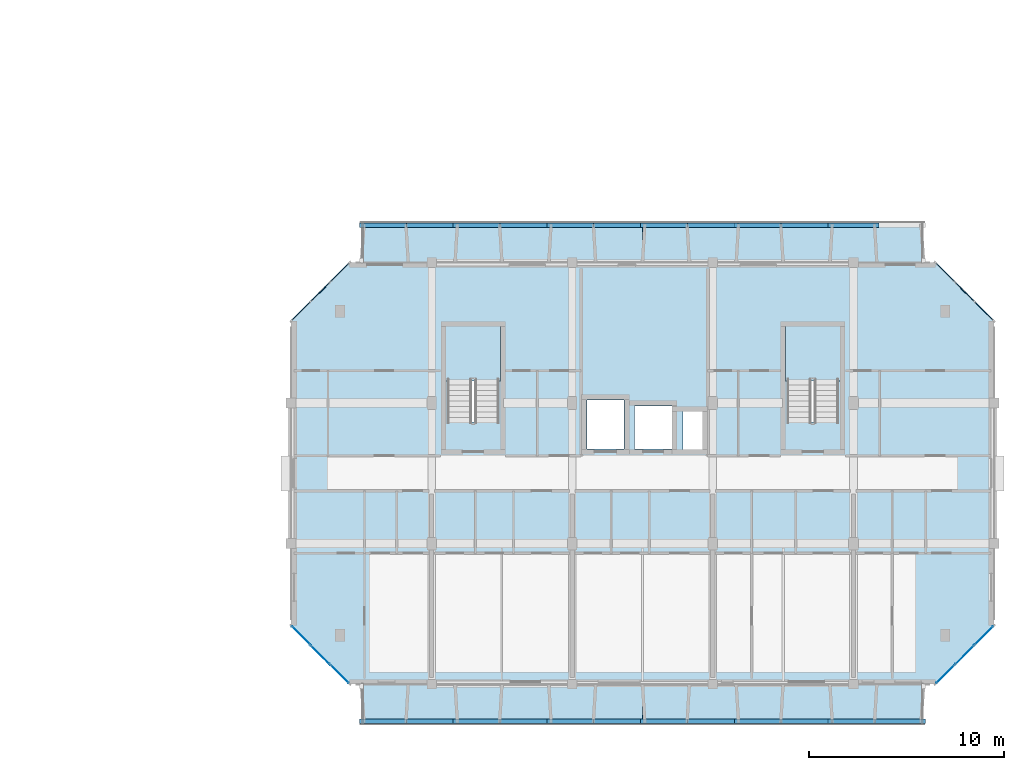
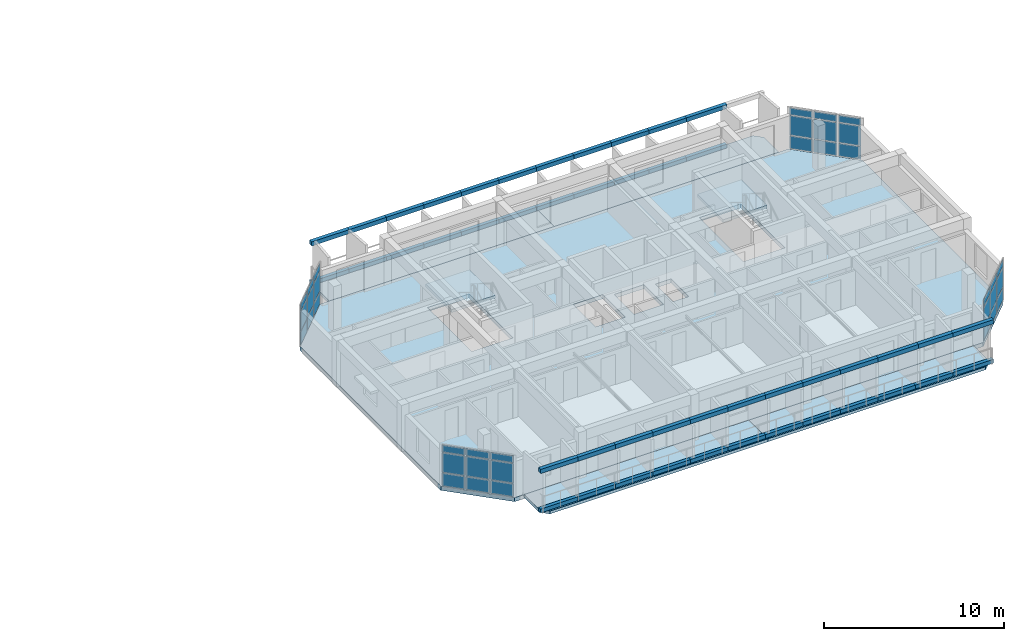
# One storey, part 14 of 46: 82 plates, 7 slabs, 6 elements without a shape of their own.
"""IFC4 building model written with IfcOpenShell, lengths in metres."""

from ifc_helpers import new_model, si_unit, direction, frame, origin, origin_2d, place, context, subcontext, project, spatial, polyline, rectangle, outline, extrude, material, layer, layer_set, type_object, element, aggregate, save


model = new_model("IFC4")

# Units and contexts
model_context = context("Model", 3, precision=1e-05, world=origin(), true_north=direction((0.0, 1.0)))
body_context = subcontext(model_context, "Body", "Model", "MODEL_VIEW")
ifc_project = project(units=[si_unit("LENGTHUNIT", "METRE"), si_unit("AREAUNIT", "SQUARE_METRE"), si_unit("VOLUMEUNIT", "CUBIC_METRE"), si_unit("PLANEANGLEUNIT", "RADIAN"), si_unit("MASSUNIT", "GRAM", prefix="KILO")], contexts=[model_context])

# Site, building, storey
site_placement = place(None, origin())
site = spatial("IfcSite", under=ifc_project, at=site_placement, CompositionType="ELEMENT")
building_placement = place(site_placement, origin())
building = spatial("IfcBuilding", under=site, at=building_placement, Name="Ochrevale Crest", CompositionType="ELEMENT")
storey_placement = place(building_placement, frame((0.0, 0.0, 24.449951171875)))
storey = spatial("IfcBuildingStorey", under=building, at=storey_placement, Name="L07", CompositionType="ELEMENT", Elevation=24.449951171875)

# Curtain wall, plates
ifc_material_1 = material(Name="Anodised aluminium 6063-T5", Category="aluminium")
ifc_layer_1 = layer(ifc_material_1, 0.14990234375)
ifc_layer_set_1 = layer_set([ifc_layer_1], Name="Anodised aluminium 6063-T5")
curtain_wall_type_1 = type_object("IfcCurtainWallType", Name="CW-WG-420x285", PredefinedType="NOTDEFINED", material=ifc_layer_set_1)
curtain_wall_1_placement = place(storey_placement, origin())
curtain_wall_1 = element("IfcCurtainWall", 1, at=curtain_wall_1_placement, inside=storey, type_object=curtain_wall_type_1, Name="Block C L07 chamfered corner wintergarden curtain wall 2", PredefinedType="NOTDEFINED")
ifc_material_2 = material(Name="Double-glazed low-E insulated glass unit", Category="glass")
ifc_layer_2 = layer(ifc_material_2, 0.028076171875)
ifc_layer_set_2 = layer_set([ifc_layer_2], Name="Double-glazed low-E insulated glass unit")
plate_type_1 = type_object("IfcPlateType", Name="CW-PNL-IGU28", PredefinedType="CURTAIN_PANEL", material=ifc_layer_set_2)
plate_1_placement = place(storey_placement, frame((163.11328125, 14.913330078125, 0.06005859375), z_axis=(0.0, 0.0, 1.0), x_axis=(0.707106781187, 0.707106781187, 0.0)))
plate_1 = element("IfcPlate", 2, at=plate_1_placement, type_object=plate_type_1, Name="CW22 panel 1.1", PredefinedType="CURTAIN_PANEL", context=body_context, shape_type="SweptSolid", body=[
    extrude(rectangle(XDim=1.3017578125, YDim=0.028076171875, at=origin_2d()), origin(), (0.0, 0.0, 1.0), 0.860107421875),
])
plate_2_placement = place(storey_placement, frame((163.11328125, 14.913330078125, 0.97998046875), z_axis=(0.0, 0.0, 1.0), x_axis=(0.707106781187, 0.707106781187, 0.0)))
plate_2 = element("IfcPlate", 3, at=plate_2_placement, type_object=plate_type_1, Name="CW22 panel 1.2", PredefinedType="CURTAIN_PANEL", context=body_context, shape_type="SweptSolid", body=[
    extrude(rectangle(XDim=1.3017578125, YDim=0.028076171875, at=origin_2d()), origin(), (0.0, 0.0, 1.0), 1.31494140625),
])
plate_3_placement = place(storey_placement, frame((163.11328125, 14.913330078125, 2.35498046875), z_axis=(0.0, 0.0, 1.0), x_axis=(0.707106781187, 0.707106781187, 0.0)))
plate_3 = element("IfcPlate", 4, at=plate_3_placement, type_object=plate_type_1, Name="CW22 panel 1.3", PredefinedType="CURTAIN_PANEL", context=body_context, shape_type="SweptSolid", body=[
    extrude(rectangle(XDim=1.3017578125, YDim=0.028076171875, at=origin_2d()), origin(), (0.0, 0.0, 1.0), 0.4599609375),
])
plate_4_placement = place(storey_placement, frame((164.10009765625, 15.89990234375, 0.06005859375), z_axis=(0.0, 0.0, 1.0), x_axis=(0.707106781187, 0.707106781187, 0.0)))
plate_4 = element("IfcPlate", 5, at=plate_4_placement, type_object=plate_type_1, Name="CW22 panel 2.1", PredefinedType="CURTAIN_PANEL", context=body_context, shape_type="SweptSolid", body=[
    extrude(rectangle(XDim=1.339111328125, YDim=0.028076171875, at=origin_2d()), origin(), (0.0, 0.0, 1.0), 0.860107421875),
])
plate_5_placement = place(storey_placement, frame((164.10009765625, 15.89990234375, 0.97998046875), z_axis=(0.0, 0.0, 1.0), x_axis=(0.707106781187, 0.707106781187, 0.0)))
plate_5 = element("IfcPlate", 6, at=plate_5_placement, type_object=plate_type_1, Name="CW22 panel 2.2", PredefinedType="CURTAIN_PANEL", context=body_context, shape_type="SweptSolid", body=[
    extrude(rectangle(XDim=1.339111328125, YDim=0.028076171875, at=origin_2d()), origin(), (0.0, 0.0, 1.0), 1.31494140625),
])
plate_6_placement = place(storey_placement, frame((164.10009765625, 15.89990234375, 2.35498046875), z_axis=(0.0, 0.0, 1.0), x_axis=(0.707106781187, 0.707106781187, 0.0)))
plate_6 = element("IfcPlate", 7, at=plate_6_placement, type_object=plate_type_1, Name="CW22 panel 2.3", PredefinedType="CURTAIN_PANEL", context=body_context, shape_type="SweptSolid", body=[
    extrude(rectangle(XDim=1.339111328125, YDim=0.028076171875, at=origin_2d()), origin(), (0.0, 0.0, 1.0), 0.4599609375),
])
plate_7_placement = place(storey_placement, frame((165.086669921875, 16.88671875, 0.06005859375), z_axis=(0.0, 0.0, 1.0), x_axis=(0.707106781187, 0.707106781187, 0.0)))
plate_7 = element("IfcPlate", 8, at=plate_7_placement, type_object=plate_type_1, Name="CW22 panel 3.1", PredefinedType="CURTAIN_PANEL", context=body_context, shape_type="SweptSolid", body=[
    extrude(rectangle(XDim=1.3017578125, YDim=0.028076171875, at=origin_2d()), origin(), (0.0, 0.0, 1.0), 0.860107421875),
])
plate_8_placement = place(storey_placement, frame((165.086669921875, 16.88671875, 0.97998046875), z_axis=(0.0, 0.0, 1.0), x_axis=(0.707106781187, 0.707106781187, 0.0)))
plate_8 = element("IfcPlate", 9, at=plate_8_placement, type_object=plate_type_1, Name="CW22 panel 3.2", PredefinedType="CURTAIN_PANEL", context=body_context, shape_type="SweptSolid", body=[
    extrude(rectangle(XDim=1.3017578125, YDim=0.028076171875, at=origin_2d()), origin(), (0.0, 0.0, 1.0), 1.31494140625),
])
plate_9_placement = place(storey_placement, frame((165.086669921875, 16.88671875, 2.35498046875), z_axis=(0.0, 0.0, 1.0), x_axis=(0.707106781187, 0.707106781187, 0.0)))
plate_9 = element("IfcPlate", 10, at=plate_9_placement, type_object=plate_type_1, Name="CW22 panel 3.3", PredefinedType="CURTAIN_PANEL", context=body_context, shape_type="SweptSolid", body=[
    extrude(rectangle(XDim=1.3017578125, YDim=0.028076171875, at=origin_2d()), origin(), (0.0, 0.0, 1.0), 0.4599609375),
])
aggregate(curtain_wall_1, [plate_1, plate_2, plate_3, plate_4, plate_5, plate_6, plate_7, plate_8, plate_9])

ifc_layer_3 = layer(ifc_material_1, 0.14990234375)
ifc_layer_set_3 = layer_set([ifc_layer_3], Name="Anodised aluminium 6063-T5")
curtain_wall_type_2 = type_object("IfcCurtainWallType", Name="CW-WG-240x285", PredefinedType="NOTDEFINED", material=ifc_layer_set_3)
curtain_wall_2_placement = place(storey_placement, origin())
curtain_wall_2 = element("IfcCurtainWall", 11, at=curtain_wall_2_placement, inside=storey, type_object=curtain_wall_type_2, Name="Block C L07 chamfered corner wintergarden curtain wall 8", PredefinedType="NOTDEFINED")
plate_10_placement = place(storey_placement, frame((130.11328125, 16.88671875, 0.06005859375), z_axis=(0.0, 0.0, 1.0), x_axis=(0.707106781187, -0.707106781187, 0.0)))
plate_10 = element("IfcPlate", 12, at=plate_10_placement, type_object=plate_type_1, Name="CW15 panel 1.1", PredefinedType="CURTAIN_PANEL", context=body_context, shape_type="SweptSolid", body=[
    extrude(rectangle(XDim=1.3017578125, YDim=0.028076171875, at=origin_2d()), origin(), (0.0, 0.0, 1.0), 0.860107421875),
])
plate_11_placement = place(storey_placement, frame((130.11328125, 16.88671875, 0.97998046875), z_axis=(0.0, 0.0, 1.0), x_axis=(0.707106781187, -0.707106781187, 0.0)))
plate_11 = element("IfcPlate", 13, at=plate_11_placement, type_object=plate_type_1, Name="CW15 panel 1.2", PredefinedType="CURTAIN_PANEL", context=body_context, shape_type="SweptSolid", body=[
    extrude(rectangle(XDim=1.3017578125, YDim=0.028076171875, at=origin_2d()), origin(), (0.0, 0.0, 1.0), 1.31494140625),
])
plate_12_placement = place(storey_placement, frame((130.11328125, 16.88671875, 2.35498046875), z_axis=(0.0, 0.0, 1.0), x_axis=(0.707106781187, -0.707106781187, 0.0)))
plate_12 = element("IfcPlate", 14, at=plate_12_placement, type_object=plate_type_1, Name="CW15 panel 1.3", PredefinedType="CURTAIN_PANEL", context=body_context, shape_type="SweptSolid", body=[
    extrude(rectangle(XDim=1.3017578125, YDim=0.028076171875, at=origin_2d()), origin(), (0.0, 0.0, 1.0), 0.4599609375),
])
plate_13_placement = place(storey_placement, frame((131.10009765625, 15.89990234375, 0.06005859375), z_axis=(0.0, 0.0, 1.0), x_axis=(0.707106781187, -0.707106781187, 0.0)))
plate_13 = element("IfcPlate", 15, at=plate_13_placement, type_object=plate_type_1, Name="CW15 panel 2.1", PredefinedType="CURTAIN_PANEL", context=body_context, shape_type="SweptSolid", body=[
    extrude(rectangle(XDim=1.339111328125, YDim=0.028076171875, at=origin_2d()), origin(), (0.0, 0.0, 1.0), 0.860107421875),
])
plate_14_placement = place(storey_placement, frame((131.10009765625, 15.89990234375, 0.97998046875), z_axis=(0.0, 0.0, 1.0), x_axis=(0.707106781187, -0.707106781187, 0.0)))
plate_14 = element("IfcPlate", 16, at=plate_14_placement, type_object=plate_type_1, Name="CW15 panel 2.2", PredefinedType="CURTAIN_PANEL", context=body_context, shape_type="SweptSolid", body=[
    extrude(rectangle(XDim=1.339111328125, YDim=0.028076171875, at=origin_2d()), origin(), (0.0, 0.0, 1.0), 1.31494140625),
])
plate_15_placement = place(storey_placement, frame((131.10009765625, 15.89990234375, 2.35498046875), z_axis=(0.0, 0.0, 1.0), x_axis=(0.707106781187, -0.707106781187, 0.0)))
plate_15 = element("IfcPlate", 17, at=plate_15_placement, type_object=plate_type_1, Name="CW15 panel 2.3", PredefinedType="CURTAIN_PANEL", context=body_context, shape_type="SweptSolid", body=[
    extrude(rectangle(XDim=1.339111328125, YDim=0.028076171875, at=origin_2d()), origin(), (0.0, 0.0, 1.0), 0.4599609375),
])
plate_16_placement = place(storey_placement, frame((132.086669921875, 14.913330078125, 0.06005859375), z_axis=(0.0, 0.0, 1.0), x_axis=(0.707106781187, -0.707106781187, 0.0)))
plate_16 = element("IfcPlate", 18, at=plate_16_placement, type_object=plate_type_1, Name="CW15 panel 3.1", PredefinedType="CURTAIN_PANEL", context=body_context, shape_type="SweptSolid", body=[
    extrude(rectangle(XDim=1.3017578125, YDim=0.028076171875, at=origin_2d()), origin(), (0.0, 0.0, 1.0), 0.860107421875),
])
plate_17_placement = place(storey_placement, frame((132.086669921875, 14.913330078125, 0.97998046875), z_axis=(0.0, 0.0, 1.0), x_axis=(0.707106781187, -0.707106781187, 0.0)))
plate_17 = element("IfcPlate", 19, at=plate_17_placement, type_object=plate_type_1, Name="CW15 panel 3.2", PredefinedType="CURTAIN_PANEL", context=body_context, shape_type="SweptSolid", body=[
    extrude(rectangle(XDim=1.3017578125, YDim=0.028076171875, at=origin_2d()), origin(), (0.0, 0.0, 1.0), 1.31494140625),
])
plate_18_placement = place(storey_placement, frame((132.086669921875, 14.913330078125, 2.35498046875), z_axis=(0.0, 0.0, 1.0), x_axis=(0.707106781187, -0.707106781187, 0.0)))
plate_18 = element("IfcPlate", 20, at=plate_18_placement, type_object=plate_type_1, Name="CW15 panel 3.3", PredefinedType="CURTAIN_PANEL", context=body_context, shape_type="SweptSolid", body=[
    extrude(rectangle(XDim=1.3017578125, YDim=0.028076171875, at=origin_2d()), origin(), (0.0, 0.0, 1.0), 0.4599609375),
])
aggregate(curtain_wall_2, [plate_10, plate_11, plate_12, plate_13, plate_14, plate_15, plate_16, plate_17, plate_18])

ifc_layer_4 = layer(ifc_material_1, 0.14990234375)
ifc_layer_set_4 = layer_set([ifc_layer_4], Name="Anodised aluminium 6063-T5")
curtain_wall_type_3 = type_object("IfcCurtainWallType", Name="CW-WG-280x285", PredefinedType="NOTDEFINED", material=ifc_layer_set_4)
curtain_wall_3_placement = place(storey_placement, origin())
curtain_wall_3 = element("IfcCurtainWall", 21, at=curtain_wall_3_placement, inside=storey, type_object=curtain_wall_type_3, Name="Block C L07 chamfered corner wintergarden curtain wall 4", PredefinedType="NOTDEFINED")
ifc_material_3 = material(Name="Acoustic laminated low-E insulated glass unit", Category="glass")
ifc_layer_5 = layer(ifc_material_3, 0.0380859375)
ifc_layer_set_5 = layer_set([ifc_layer_5], Name="Acoustic laminated low-E insulated glass unit")
plate_type_2 = type_object("IfcPlateType", Name="CW-PNL-IGU38", PredefinedType="CURTAIN_PANEL", material=ifc_layer_set_5)
plate_19_placement = place(storey_placement, frame((165.086669921875, 33.51318359375, 0.06005859375), z_axis=(0.0, 0.0, 1.0), x_axis=(-0.707106781187, 0.707106781187, 0.0)))
plate_19 = element("IfcPlate", 22, at=plate_19_placement, type_object=plate_type_2, Name="CW16 panel 1.1", PredefinedType="CURTAIN_PANEL", context=body_context, shape_type="SweptSolid", body=[
    extrude(rectangle(XDim=1.3017578125, YDim=0.0380859375, at=origin_2d()), origin(), (0.0, 0.0, 1.0), 0.860107421875),
])
plate_20_placement = place(storey_placement, frame((165.086669921875, 33.51318359375, 0.97998046875), z_axis=(0.0, 0.0, 1.0), x_axis=(-0.707106781187, 0.707106781187, 0.0)))
plate_20 = element("IfcPlate", 23, at=plate_20_placement, type_object=plate_type_2, Name="CW16 panel 1.2", PredefinedType="CURTAIN_PANEL", context=body_context, shape_type="SweptSolid", body=[
    extrude(rectangle(XDim=1.3017578125, YDim=0.0380859375, at=origin_2d()), origin(), (0.0, 0.0, 1.0), 1.31494140625),
])
plate_21_placement = place(storey_placement, frame((165.086669921875, 33.51318359375, 2.35498046875), z_axis=(0.0, 0.0, 1.0), x_axis=(-0.707106781187, 0.707106781187, 0.0)))
plate_21 = element("IfcPlate", 24, at=plate_21_placement, type_object=plate_type_2, Name="CW16 panel 1.3", PredefinedType="CURTAIN_PANEL", context=body_context, shape_type="SweptSolid", body=[
    extrude(rectangle(XDim=1.3017578125, YDim=0.0380859375, at=origin_2d()), origin(), (0.0, 0.0, 1.0), 0.4599609375),
])
plate_22_placement = place(storey_placement, frame((164.10009765625, 34.5, 0.06005859375), z_axis=(0.0, 0.0, 1.0), x_axis=(-0.707106781187, 0.707106781187, 0.0)))
plate_22 = element("IfcPlate", 25, at=plate_22_placement, type_object=plate_type_2, Name="CW16 panel 2.1", PredefinedType="CURTAIN_PANEL", context=body_context, shape_type="SweptSolid", body=[
    extrude(rectangle(XDim=1.339111328125, YDim=0.0380859375, at=origin_2d()), origin(), (0.0, 0.0, 1.0), 0.860107421875),
])
plate_23_placement = place(storey_placement, frame((164.10009765625, 34.5, 0.97998046875), z_axis=(0.0, 0.0, 1.0), x_axis=(-0.707106781187, 0.707106781187, 0.0)))
plate_23 = element("IfcPlate", 26, at=plate_23_placement, type_object=plate_type_2, Name="CW16 panel 2.2", PredefinedType="CURTAIN_PANEL", context=body_context, shape_type="SweptSolid", body=[
    extrude(rectangle(XDim=1.339111328125, YDim=0.0380859375, at=origin_2d()), origin(), (0.0, 0.0, 1.0), 1.31494140625),
])
plate_24_placement = place(storey_placement, frame((164.10009765625, 34.5, 2.35498046875), z_axis=(0.0, 0.0, 1.0), x_axis=(-0.707106781187, 0.707106781187, 0.0)))
plate_24 = element("IfcPlate", 27, at=plate_24_placement, type_object=plate_type_2, Name="CW16 panel 2.3", PredefinedType="CURTAIN_PANEL", context=body_context, shape_type="SweptSolid", body=[
    extrude(rectangle(XDim=1.339111328125, YDim=0.0380859375, at=origin_2d()), origin(), (0.0, 0.0, 1.0), 0.4599609375),
])
plate_25_placement = place(storey_placement, frame((163.11328125, 35.48681640625, 0.06005859375), z_axis=(0.0, 0.0, 1.0), x_axis=(-0.707106781187, 0.707106781187, 0.0)))
plate_25 = element("IfcPlate", 28, at=plate_25_placement, type_object=plate_type_2, Name="CW16 panel 3.1", PredefinedType="CURTAIN_PANEL", context=body_context, shape_type="SweptSolid", body=[
    extrude(rectangle(XDim=1.3017578125, YDim=0.0380859375, at=origin_2d()), origin(), (0.0, 0.0, 1.0), 0.860107421875),
])
plate_26_placement = place(storey_placement, frame((163.11328125, 35.48681640625, 0.97998046875), z_axis=(0.0, 0.0, 1.0), x_axis=(-0.707106781187, 0.707106781187, 0.0)))
plate_26 = element("IfcPlate", 29, at=plate_26_placement, type_object=plate_type_2, Name="CW16 panel 3.2", PredefinedType="CURTAIN_PANEL", context=body_context, shape_type="SweptSolid", body=[
    extrude(rectangle(XDim=1.3017578125, YDim=0.0380859375, at=origin_2d()), origin(), (0.0, 0.0, 1.0), 1.31494140625),
])
plate_27_placement = place(storey_placement, frame((163.11328125, 35.48681640625, 2.35498046875), z_axis=(0.0, 0.0, 1.0), x_axis=(-0.707106781187, 0.707106781187, 0.0)))
plate_27 = element("IfcPlate", 30, at=plate_27_placement, type_object=plate_type_2, Name="CW16 panel 3.3", PredefinedType="CURTAIN_PANEL", context=body_context, shape_type="SweptSolid", body=[
    extrude(rectangle(XDim=1.3017578125, YDim=0.0380859375, at=origin_2d()), origin(), (0.0, 0.0, 1.0), 0.4599609375),
])
aggregate(curtain_wall_3, [plate_19, plate_20, plate_21, plate_22, plate_23, plate_24, plate_25, plate_26, plate_27])

ifc_layer_6 = layer(ifc_material_1, 0.14990234375)
ifc_layer_set_6 = layer_set([ifc_layer_6], Name="Anodised aluminium 6063-T5")
curtain_wall_type_4 = type_object("IfcCurtainWallType", Name="CW-WG-360x285", PredefinedType="NOTDEFINED", material=ifc_layer_set_6)
curtain_wall_4_placement = place(storey_placement, origin())
curtain_wall_4 = element("IfcCurtainWall", 31, at=curtain_wall_4_placement, inside=storey, type_object=curtain_wall_type_4, Name="Block C L07 chamfered corner wintergarden curtain wall 6", PredefinedType="NOTDEFINED")
plate_28_placement = place(storey_placement, frame((132.086669921875, 35.48681640625, 0.06005859375), z_axis=(0.0, 0.0, 1.0), x_axis=(-0.707106781187, -0.707106781187, 0.0)))
plate_28 = element("IfcPlate", 32, at=plate_28_placement, type_object=plate_type_2, Name="CW18 panel 1.1", PredefinedType="CURTAIN_PANEL", context=body_context, shape_type="SweptSolid", body=[
    extrude(rectangle(XDim=1.3017578125, YDim=0.0380859375, at=origin_2d()), origin(), (0.0, 0.0, 1.0), 0.860107421875),
])
plate_29_placement = place(storey_placement, frame((132.086669921875, 35.48681640625, 0.97998046875), z_axis=(0.0, 0.0, 1.0), x_axis=(-0.707106781187, -0.707106781187, 0.0)))
plate_29 = element("IfcPlate", 33, at=plate_29_placement, type_object=plate_type_2, Name="CW18 panel 1.2", PredefinedType="CURTAIN_PANEL", context=body_context, shape_type="SweptSolid", body=[
    extrude(rectangle(XDim=1.3017578125, YDim=0.0380859375, at=origin_2d()), origin(), (0.0, 0.0, 1.0), 1.31494140625),
])
plate_30_placement = place(storey_placement, frame((132.086669921875, 35.48681640625, 2.35498046875), z_axis=(0.0, 0.0, 1.0), x_axis=(-0.707106781187, -0.707106781187, 0.0)))
plate_30 = element("IfcPlate", 34, at=plate_30_placement, type_object=plate_type_2, Name="CW18 panel 1.3", PredefinedType="CURTAIN_PANEL", context=body_context, shape_type="SweptSolid", body=[
    extrude(rectangle(XDim=1.3017578125, YDim=0.0380859375, at=origin_2d()), origin(), (0.0, 0.0, 1.0), 0.4599609375),
])
plate_31_placement = place(storey_placement, frame((131.10009765625, 34.5, 0.06005859375), z_axis=(0.0, 0.0, 1.0), x_axis=(-0.707106781187, -0.707106781187, 0.0)))
plate_31 = element("IfcPlate", 35, at=plate_31_placement, type_object=plate_type_2, Name="CW18 panel 2.1", PredefinedType="CURTAIN_PANEL", context=body_context, shape_type="SweptSolid", body=[
    extrude(rectangle(XDim=1.339111328125, YDim=0.0380859375, at=origin_2d()), origin(), (0.0, 0.0, 1.0), 0.860107421875),
])
plate_32_placement = place(storey_placement, frame((131.10009765625, 34.5, 0.97998046875), z_axis=(0.0, 0.0, 1.0), x_axis=(-0.707106781187, -0.707106781187, 0.0)))
plate_32 = element("IfcPlate", 36, at=plate_32_placement, type_object=plate_type_2, Name="CW18 panel 2.2", PredefinedType="CURTAIN_PANEL", context=body_context, shape_type="SweptSolid", body=[
    extrude(rectangle(XDim=1.339111328125, YDim=0.0380859375, at=origin_2d()), origin(), (0.0, 0.0, 1.0), 1.31494140625),
])
plate_33_placement = place(storey_placement, frame((131.10009765625, 34.5, 2.35498046875), z_axis=(0.0, 0.0, 1.0), x_axis=(-0.707106781187, -0.707106781187, 0.0)))
plate_33 = element("IfcPlate", 37, at=plate_33_placement, type_object=plate_type_2, Name="CW18 panel 2.3", PredefinedType="CURTAIN_PANEL", context=body_context, shape_type="SweptSolid", body=[
    extrude(rectangle(XDim=1.339111328125, YDim=0.0380859375, at=origin_2d()), origin(), (0.0, 0.0, 1.0), 0.4599609375),
])
plate_34_placement = place(storey_placement, frame((130.11328125, 33.51318359375, 0.06005859375), z_axis=(0.0, 0.0, 1.0), x_axis=(-0.707106781187, -0.707106781187, 0.0)))
plate_34 = element("IfcPlate", 38, at=plate_34_placement, type_object=plate_type_2, Name="CW18 panel 3.1", PredefinedType="CURTAIN_PANEL", context=body_context, shape_type="SweptSolid", body=[
    extrude(rectangle(XDim=1.3017578125, YDim=0.0380859375, at=origin_2d()), origin(), (0.0, 0.0, 1.0), 0.860107421875),
])
plate_35_placement = place(storey_placement, frame((130.11328125, 33.51318359375, 0.97998046875), z_axis=(0.0, 0.0, 1.0), x_axis=(-0.707106781187, -0.707106781187, 0.0)))
plate_35 = element("IfcPlate", 39, at=plate_35_placement, type_object=plate_type_2, Name="CW18 panel 3.2", PredefinedType="CURTAIN_PANEL", context=body_context, shape_type="SweptSolid", body=[
    extrude(rectangle(XDim=1.3017578125, YDim=0.0380859375, at=origin_2d()), origin(), (0.0, 0.0, 1.0), 1.31494140625),
])
plate_36_placement = place(storey_placement, frame((130.11328125, 33.51318359375, 2.35498046875), z_axis=(0.0, 0.0, 1.0), x_axis=(-0.707106781187, -0.707106781187, 0.0)))
plate_36 = element("IfcPlate", 40, at=plate_36_placement, type_object=plate_type_2, Name="CW18 panel 3.3", PredefinedType="CURTAIN_PANEL", context=body_context, shape_type="SweptSolid", body=[
    extrude(rectangle(XDim=1.3017578125, YDim=0.0380859375, at=origin_2d()), origin(), (0.0, 0.0, 1.0), 0.4599609375),
])
aggregate(curtain_wall_4, [plate_28, plate_29, plate_30, plate_31, plate_32, plate_33, plate_34, plate_35, plate_36])

# Plates
ifc_material_4 = material(Name="Precast concrete C40/50", Category="concrete")
ifc_layer_7 = layer(ifc_material_4, 0.06005859375)
ifc_layer_set_7 = layer_set([ifc_layer_7], Name="Precast concrete C40/50")
plate_type_3 = type_object("IfcPlateType", Name="PLT-HC-HEAD-60", PredefinedType="USERDEFINED", material=ifc_layer_set_7)
for number, where, z_axis, x_axis, name in (
    (41, (134.39990234375, 12.5, 2.669921875), (0.0, 0.0, 1.0), (1.0, 0.0, 0.0), "Block C L07 S honeycomb arched lintel fascia 1"),
    (42, (136.800048828125, 12.5, 2.669921875), (0.0, 0.0, 1.0), (1.0, 0.0, 0.0), "Block C L07 S honeycomb arched lintel fascia 2"),
    (43, (139.199951171875, 12.5, 2.669921875), (0.0, 0.0, 1.0), (1.0, 0.0, 0.0), "Block C L07 S honeycomb arched lintel fascia 3"),
    (44, (141.60009765625, 12.5, 2.669921875), (0.0, 0.0, 1.0), (1.0, 0.0, 0.0), "Block C L07 S honeycomb arched lintel fascia 4"),
    (45, (144.0, 12.5, 2.669921875), (0.0, 0.0, 1.0), (1.0, 0.0, 0.0), "Block C L07 S honeycomb arched lintel fascia 5"),
    (46, (146.39990234375, 12.5, 2.669921875), (0.0, 0.0, 1.0), (1.0, 0.0, 0.0), "Block C L07 S honeycomb arched lintel fascia 6"),
    (47, (148.800048828125, 12.5, 2.669921875), (0.0, 0.0, 1.0), (1.0, 0.0, 0.0), "Block C L07 S honeycomb arched lintel fascia 7"),
    (48, (151.199951171875, 12.5, 2.669921875), (0.0, 0.0, 1.0), (1.0, 0.0, 0.0), "Block C L07 S honeycomb arched lintel fascia 8"),
    (49, (153.60009765625, 12.5, 2.669921875), (0.0, 0.0, 1.0), (1.0, 0.0, 0.0), "Block C L07 S honeycomb arched lintel fascia 9"),
    (50, (156.0, 12.5, 2.669921875), (0.0, 0.0, 1.0), (1.0, 0.0, 0.0), "Block C L07 S honeycomb arched lintel fascia 10"),
    (51, (158.39990234375, 12.5, 2.669921875), (0.0, 0.0, 1.0), (1.0, 0.0, 0.0), "Block C L07 S honeycomb arched lintel fascia 11"),
    (52, (160.800048828125, 12.5, 2.669921875), (0.0, 0.0, 1.0), (1.0, 0.0, 0.0), "Block C L07 S honeycomb arched lintel fascia 12"),
    (53, (134.39990234375, 37.89990234375, 2.669921875), (0.0, 0.0, 1.0), (1.0, 0.0, 0.0), "Block C L07 N honeycomb arched lintel fascia 1"),
    (54, (136.800048828125, 37.89990234375, 2.669921875), (0.0, 0.0, 1.0), (1.0, 0.0, 0.0), "Block C L07 N honeycomb arched lintel fascia 2"),
    (55, (139.199951171875, 37.89990234375, 2.669921875), (0.0, 0.0, 1.0), (1.0, 0.0, 0.0), "Block C L07 N honeycomb arched lintel fascia 3"),
    (56, (141.60009765625, 37.89990234375, 2.669921875), (0.0, 0.0, 1.0), (1.0, 0.0, 0.0), "Block C L07 N honeycomb arched lintel fascia 4"),
    (57, (144.0, 37.89990234375, 2.669921875), (0.0, 0.0, 1.0), (1.0, 0.0, 0.0), "Block C L07 N honeycomb arched lintel fascia 5"),
    (58, (146.39990234375, 37.89990234375, 2.669921875), (0.0, 0.0, 1.0), (1.0, 0.0, 0.0), "Block C L07 N honeycomb arched lintel fascia 6"),
    (59, (148.800048828125, 37.89990234375, 2.669921875), (0.0, 0.0, 1.0), (1.0, 0.0, 0.0), "Block C L07 N honeycomb arched lintel fascia 7"),
    (60, (151.199951171875, 37.89990234375, 2.669921875), (0.0, 0.0, 1.0), (1.0, 0.0, 0.0), "Block C L07 N honeycomb arched lintel fascia 8"),
    (61, (153.60009765625, 37.89990234375, 2.669921875), (0.0, 0.0, 1.0), (1.0, 0.0, 0.0), "Block C L07 N honeycomb arched lintel fascia 9"),
    (62, (156.0, 37.89990234375, 2.669921875), (0.0, 0.0, 1.0), (1.0, 0.0, 0.0), "Block C L07 N honeycomb arched lintel fascia 10"),
    (63, (158.39990234375, 37.89990234375, 2.669921875), (0.0, 0.0, 1.0), (1.0, 0.0, 0.0), "Block C L07 N honeycomb arched lintel fascia 11"),
):
    element("IfcPlate", number, at=place(storey_placement, frame(where, z_axis=z_axis, x_axis=x_axis)), inside=storey, type_object=plate_type_3, Name=name, ObjectType="FACADE FASCIA PLATE", PredefinedType="USERDEFINED", context=body_context, shape_type="SweptSolid", body=[
        extrude(rectangle(XDim=2.60009765625, YDim=0.239990234375, at=origin_2d()), origin(), (0.0, 0.0, 1.0), 0.280029296875),
    ])
ifc_layer_8 = layer(ifc_material_4, 0.044921875)
ifc_layer_set_8 = layer_set([ifc_layer_8], Name="Precast concrete C40/50")
plate_type_4 = type_object("IfcPlateType", Name="PLT-HC-SILL-45", PredefinedType="USERDEFINED", material=ifc_layer_set_8)
for number, where, z_axis, x_axis, name in (
    (64, (134.39990234375, 12.5, 0.0), (0.0, 0.0, 1.0), (1.0, 0.0, 0.0), "Block C L07 S honeycomb sill coping plate 1"),
    (65, (136.800048828125, 12.5, 0.0), (0.0, 0.0, 1.0), (1.0, 0.0, 0.0), "Block C L07 S honeycomb sill coping plate 2"),
    (66, (139.199951171875, 12.5, 0.0), (0.0, 0.0, 1.0), (1.0, 0.0, 0.0), "Block C L07 S honeycomb sill coping plate 3"),
    (67, (141.60009765625, 12.5, 0.0), (0.0, 0.0, 1.0), (1.0, 0.0, 0.0), "Block C L07 S honeycomb sill coping plate 4"),
    (68, (144.0, 12.5, 0.0), (0.0, 0.0, 1.0), (1.0, 0.0, 0.0), "Block C L07 S honeycomb sill coping plate 5"),
    (69, (146.39990234375, 12.5, 0.0), (0.0, 0.0, 1.0), (1.0, 0.0, 0.0), "Block C L07 S honeycomb sill coping plate 6"),
    (70, (148.800048828125, 12.5, 0.0), (0.0, 0.0, 1.0), (1.0, 0.0, 0.0), "Block C L07 S honeycomb sill coping plate 7"),
    (71, (151.199951171875, 12.5, 0.0), (0.0, 0.0, 1.0), (1.0, 0.0, 0.0), "Block C L07 S honeycomb sill coping plate 8"),
    (72, (153.60009765625, 12.5, 0.0), (0.0, 0.0, 1.0), (1.0, 0.0, 0.0), "Block C L07 S honeycomb sill coping plate 9"),
    (73, (156.0, 12.5, 0.0), (0.0, 0.0, 1.0), (1.0, 0.0, 0.0), "Block C L07 S honeycomb sill coping plate 10"),
    (74, (158.39990234375, 12.5, 0.0), (0.0, 0.0, 1.0), (1.0, 0.0, 0.0), "Block C L07 S honeycomb sill coping plate 11"),
    (75, (160.800048828125, 12.5, 0.0), (0.0, 0.0, 1.0), (1.0, 0.0, 0.0), "Block C L07 S honeycomb sill coping plate 12"),
    (76, (134.39990234375, 37.89990234375, 0.0), (0.0, 0.0, 1.0), (1.0, 0.0, 0.0), "Block C L07 N honeycomb sill coping plate 1"),
    (77, (136.800048828125, 37.89990234375, 0.0), (0.0, 0.0, 1.0), (1.0, 0.0, 0.0), "Block C L07 N honeycomb sill coping plate 2"),
    (78, (139.199951171875, 37.89990234375, 0.0), (0.0, 0.0, 1.0), (1.0, 0.0, 0.0), "Block C L07 N honeycomb sill coping plate 3"),
    (79, (141.60009765625, 37.89990234375, 0.0), (0.0, 0.0, 1.0), (1.0, 0.0, 0.0), "Block C L07 N honeycomb sill coping plate 4"),
    (80, (144.0, 37.89990234375, 0.0), (0.0, 0.0, 1.0), (1.0, 0.0, 0.0), "Block C L07 N honeycomb sill coping plate 5"),
    (81, (146.39990234375, 37.89990234375, 0.0), (0.0, 0.0, 1.0), (1.0, 0.0, 0.0), "Block C L07 N honeycomb sill coping plate 6"),
    (82, (148.800048828125, 37.89990234375, 0.0), (0.0, 0.0, 1.0), (1.0, 0.0, 0.0), "Block C L07 N honeycomb sill coping plate 7"),
    (83, (151.199951171875, 37.89990234375, 0.0), (0.0, 0.0, 1.0), (1.0, 0.0, 0.0), "Block C L07 N honeycomb sill coping plate 8"),
    (84, (153.60009765625, 37.89990234375, 0.0), (0.0, 0.0, 1.0), (1.0, 0.0, 0.0), "Block C L07 N honeycomb sill coping plate 9"),
    (85, (156.0, 37.89990234375, 0.0), (0.0, 0.0, 1.0), (1.0, 0.0, 0.0), "Block C L07 N honeycomb sill coping plate 10"),
    (86, (158.39990234375, 37.89990234375, 0.0), (0.0, 0.0, 1.0), (1.0, 0.0, 0.0), "Block C L07 N honeycomb sill coping plate 11"),
):
    element("IfcPlate", number, at=place(storey_placement, frame(where, z_axis=z_axis, x_axis=x_axis)), inside=storey, type_object=plate_type_4, Name=name, ObjectType="SILL COPING PLATE", PredefinedType="USERDEFINED", context=body_context, shape_type="SweptSolid", body=[
        extrude(rectangle(XDim=2.60009765625, YDim=0.219970703125, at=origin_2d()), origin(), (0.0, 0.0, 1.0), 0.260009765625),
    ])

# Slabs
ifc_layer_9 = layer(ifc_material_4, 0.199951171875)
ifc_layer_set_9 = layer_set([ifc_layer_9], Name="Precast concrete C40/50")
slab_type_1 = type_object("IfcSlabType", Name="SLB-BAL-200", PredefinedType="FLOOR", material=ifc_layer_set_9)
slab_1_placement = place(storey_placement, frame((0.0, 0.0, -0.199951171875)))
element("IfcSlab", 87, at=slab_1_placement, inside=storey, type_object=slab_type_1, Name="Block C L07 S1 precast loggia balcony slab", PredefinedType="FLOOR", context=body_context, shape_type="SweptSolid", body=[
    extrude(outline(polyline([(133.64990234375, 12.300048828125), (147.60009765625, 12.300048828125), (147.60009765625, 14.39990234375), (133.199951171875, 14.39990234375), (133.199951171875, 12.75), (133.64990234375, 12.300048828125)])), origin(), (0.0, 0.0, 1.0), 0.199951171875),
])
slab_2_placement = place(storey_placement, frame((0.0, 0.0, -0.199951171875)))
element("IfcSlab", 88, at=slab_2_placement, inside=storey, type_object=slab_type_1, Name="Block C L07 S2 precast loggia balcony slab", PredefinedType="FLOOR", context=body_context, shape_type="SweptSolid", body=[
    extrude(outline(polyline([(147.60009765625, 12.300048828125), (161.550048828125, 12.300048828125), (162.0, 12.75), (162.0, 14.39990234375), (147.60009765625, 14.39990234375), (147.60009765625, 12.300048828125)])), origin(), (0.0, 0.0, 1.0), 0.199951171875),
])
slab_3_placement = place(storey_placement, frame((0.0, 0.0, -0.199951171875)))
element("IfcSlab", 89, at=slab_3_placement, inside=storey, type_object=slab_type_1, Name="Block C L07 N1 precast loggia balcony slab", PredefinedType="FLOOR", context=body_context, shape_type="SweptSolid", body=[
    extrude(outline(polyline([(133.199951171875, 36.0), (147.60009765625, 36.0), (147.60009765625, 38.10009765625), (133.64990234375, 38.10009765625), (133.199951171875, 37.64990234375), (133.199951171875, 36.0)])), origin(), (0.0, 0.0, 1.0), 0.199951171875),
])
slab_4_placement = place(storey_placement, frame((0.0, 0.0, -0.199951171875)))
element("IfcSlab", 90, at=slab_4_placement, inside=storey, type_object=slab_type_1, Name="Block C L07 N2 precast loggia balcony slab", PredefinedType="FLOOR", context=body_context, shape_type="SweptSolid", body=[
    extrude(outline(polyline([(147.60009765625, 36.0), (162.0, 36.0), (162.0, 37.64990234375), (161.550048828125, 38.10009765625), (147.60009765625, 38.10009765625), (147.60009765625, 36.0)])), origin(), (0.0, 0.0, 1.0), 0.199951171875),
])
ifc_layer_10 = layer(ifc_material_4, 0.27490234375)
ifc_layer_set_10 = layer_set([ifc_layer_10], Name="Precast concrete C40/50")
slab_type_2 = type_object("IfcSlabType", Name="SLB-RES-275", PredefinedType="FLOOR", material=ifc_layer_set_10)
slab_5_placement = place(storey_placement, frame((0.0, 0.0, -0.27490234375)))
element("IfcSlab", 91, at=slab_5_placement, inside=storey, type_object=slab_type_2, Name="Block C L07 composite hollowcore floor slab", PredefinedType="FLOOR", context=body_context, shape_type="SweptSolid", body=[
    extrude(outline(polyline([(132.60009765625, 14.39990234375), (162.60009765625, 14.39990234375), (165.60009765625, 17.39990234375), (165.60009765625, 33.0), (162.60009765625, 36.0), (132.60009765625, 36.0), (129.60009765625, 33.0), (129.60009765625, 17.39990234375), (132.60009765625, 14.39990234375)]), holes=[polyline([(140.25, 27.824951171875), (140.25, 32.72509765625), (137.60009765625, 32.72509765625), (137.60009765625, 27.824951171875), (140.25, 27.824951171875)]), polyline([(157.64990234375, 27.824951171875), (157.64990234375, 32.72509765625), (155.0, 32.72509765625), (155.0, 27.824951171875), (157.64990234375, 27.824951171875)]), polyline([(144.75, 26.449951171875), (146.64990234375, 26.449951171875), (146.64990234375, 28.949951171875), (144.75, 28.949951171875), (144.75, 26.449951171875)]), polyline([(147.199951171875, 26.449951171875), (149.10009765625, 26.449951171875), (149.10009765625, 28.64990234375), (147.199951171875, 28.64990234375), (147.199951171875, 26.449951171875)]), polyline([(149.669921875, 26.419921875), (150.679931640625, 26.419921875), (150.679931640625, 28.3798828125), (149.669921875, 28.3798828125), (149.669921875, 26.419921875)])]), origin(), (0.0, 0.0, 1.0), 0.27490234375),
])

# Stair, slab
stair_type = type_object("IfcStairType", Name="ST-CORE-DOG", PredefinedType="HALF_TURN_STAIR", material=ifc_material_4)
stair_1_placement = place(storey_placement, origin())
stair_1 = element("IfcStair", 92, at=stair_1_placement, inside=storey, type_object=stair_type, Name="L07 Block C Fire Stair 1", PredefinedType="HALF_TURN_STAIR")
ifc_layer_11 = layer(ifc_material_4, 0.199951171875)
ifc_layer_set_11 = layer_set([ifc_layer_11], Name="Precast concrete C40/50")
slab_type_3 = type_object("IfcSlabType", Name="SLB-ST-LAND", PredefinedType="LANDING", material=ifc_layer_set_11)
slab_6_placement = place(storey_placement, frame((0.0, 0.0, 1.375)))
slab_6 = element("IfcSlab", 93, at=slab_6_placement, type_object=slab_type_3, Name="ST-C1 landing 1", PredefinedType="LANDING", context=body_context, shape_type="SweptSolid", body=[
    extrude(outline(polyline([(140.330078125, 29.93505859375), (140.330078125, 32.804931640625), (137.52001953125, 32.804931640625), (137.52001953125, 29.93505859375), (140.330078125, 29.93505859375)])), origin(), (0.0, 0.0, 1.0), 0.199951171875),
])
aggregate(stair_1, [slab_6])

stair_2_placement = place(storey_placement, origin())
stair_2 = element("IfcStair", 94, at=stair_2_placement, inside=storey, type_object=stair_type, Name="L07 Block C Fire Stair 2", PredefinedType="HALF_TURN_STAIR")
slab_7_placement = place(storey_placement, frame((0.0, 0.0, 1.375)))
slab_7 = element("IfcSlab", 95, at=slab_7_placement, type_object=slab_type_3, Name="ST-C2 landing 1", PredefinedType="LANDING", context=body_context, shape_type="SweptSolid", body=[
    extrude(outline(polyline([(157.72998046875, 29.93505859375), (157.72998046875, 32.804931640625), (154.919921875, 32.804931640625), (154.919921875, 29.93505859375), (157.72998046875, 29.93505859375)])), origin(), (0.0, 0.0, 1.0), 0.199951171875),
])
aggregate(stair_2, [slab_7])

save(model, "model.ifc")
